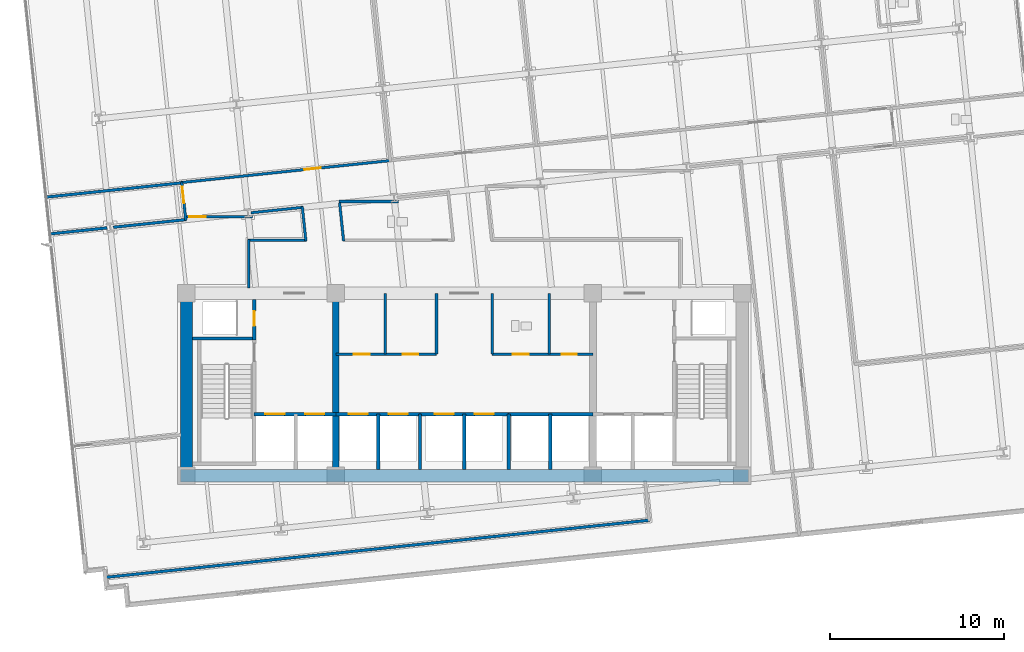
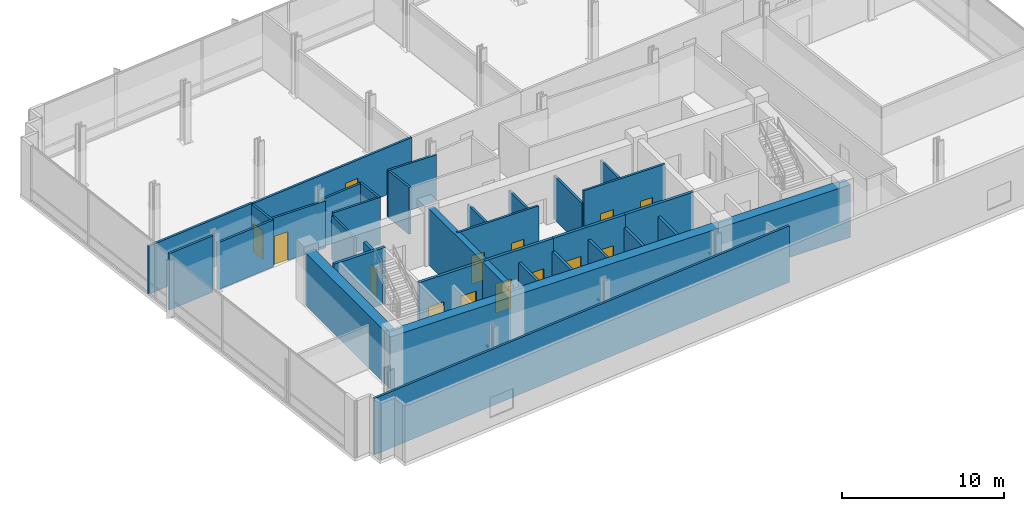
# One storey, part 12 of 20: 33 walls, 14 doors, 14 openings.
"""IFC4 building model written with IfcOpenShell, lengths in metres."""

from ifc_helpers import new_model, si_unit, direction, frame, frame_2d, origin, place, context, subcontext, project, spatial, rectangle, extrude, material, layer, layer_set, type_object, element, fill, save


model = new_model("IFC4")

# Units and contexts
model_context = context("Model", 3, precision=1e-05, world=origin(), true_north=direction((0.0, 1.0)))
body_context = subcontext(model_context, "Body", "Model", "MODEL_VIEW")
ifc_project = project(units=[si_unit("LENGTHUNIT", "METRE"), si_unit("AREAUNIT", "SQUARE_METRE"), si_unit("VOLUMEUNIT", "CUBIC_METRE"), si_unit("PLANEANGLEUNIT", "RADIAN"), si_unit("MASSUNIT", "GRAM", prefix="KILO")], contexts=[model_context])

# Site, building, storey
site_placement = place(None, origin())
site = spatial("IfcSite", under=ifc_project, at=site_placement, CompositionType="ELEMENT")
building_placement = place(site_placement, origin())
building = spatial("IfcBuilding", under=site, at=building_placement, Name="Solmavex Isthmus Hotel", CompositionType="ELEMENT")
storey_placement = place(building_placement, frame((0.0, 0.0, 101.85009765625)))
storey = spatial("IfcBuildingStorey", under=building, at=storey_placement, Name="L27", CompositionType="ELEMENT", Elevation=101.85009765625)

# Walls
ifc_material_1 = material(Name="Gypsum plasterboard lining", Category="gypsum")
ifc_layer_1 = layer(ifc_material_1, 0.159912109375)
ifc_layer_set_1 = layer_set([ifc_layer_1], Name="Gypsum plasterboard lining")
wall_type_1 = type_object("IfcWallType", Name="IW-COMP-160", PredefinedType="PARTITIONING", material=ifc_layer_set_1)
wall_1_placement = place(storey_placement, frame((-16.221923828125, 3.86474609375, 0.0), z_axis=(0.0, 0.0, 1.0), x_axis=(-0.994522987852, -0.104518068455, 0.0)))
element("IfcWall", 1, at=wall_1_placement, inside=storey, type_object=wall_type_1, Name="Interior Partition Wall W-L27-P032", PredefinedType="PARTITIONING", context=body_context, shape_type="SweptSolid", body=[
    extrude(rectangle(XDim=7.927978515625, YDim=0.159912109375, at=frame_2d((3.9638671875, 0.0))), origin(), (0.0, 0.0, 1.0), 3.60302734375),
])
wall_2_placement = place(storey_placement, frame((-20.558349609375, 1.267333984375, 0.0), z_axis=(0.0, 0.0, 1.0), x_axis=(-0.99451904707, -0.10455555946, 0.0)))
element("IfcWall", 2, at=wall_2_placement, inside=storey, type_object=wall_type_1, Name="Interior Partition Wall W-L27-P050", PredefinedType="PARTITIONING", context=body_context, shape_type="SweptSolid", body=[
    extrude(rectangle(XDim=3.34375, YDim=0.159912109375, at=frame_2d((1.671875, 0.0))), origin(), (0.0, 0.0, 1.0), 4.239990234375),
])
wall_3_placement = place(storey_placement, frame((-15.9892578125, 1.74755859375, 0.0), z_axis=(0.0, 0.0, 1.0), x_axis=(-0.994523098997, -0.104517010867, 0.0)))
element("IfcWall", 3, at=wall_3_placement, inside=storey, type_object=wall_type_1, Name="Interior Partition Wall W-L27-P051", PredefinedType="PARTITIONING", context=body_context, shape_type="SweptSolid", body=[
    extrude(rectangle(XDim=4.241943359375, YDim=0.159912109375, at=frame_2d((2.12109375, 0.0))), origin(), (0.0, 0.0, 1.0), 3.529296875),
])
wall_4_placement = place(storey_placement, frame((10.687744140625, -15.558837890625, 0.0), z_axis=(0.0, 0.0, 1.0), x_axis=(-0.994522141115, -0.104526125114, 0.0)))
element("IfcWall", 4, at=wall_4_placement, inside=storey, type_object=wall_type_1, Name="Interior Partition Wall W-L27-P056", PredefinedType="PARTITIONING", context=body_context, shape_type="SweptSolid", body=[
    extrude(rectangle(XDim=31.559814453125, YDim=0.159912109375, at=frame_2d((15.77978515625, 0.0))), origin(), (0.0, 0.0, 1.0), 4.239990234375),
])

# Wall, openings, doors
ifc_layer_2 = layer(ifc_material_1, 0.14990234375)
ifc_layer_set_2 = layer_set([ifc_layer_2], Name="Gypsum plasterboard lining")
wall_type_2 = type_object("IfcWallType", Name="IW-CORR-150", PredefinedType="PARTITIONING", material=ifc_layer_set_2)
wall_5_placement = place(storey_placement, frame((-7.39990234375, -6.0, 0.0), z_axis=(0.0, 0.0, 1.0), x_axis=(1.0, 0.0, 0.0)))
wall_5 = element("IfcWall", 5, at=wall_5_placement, inside=storey, type_object=wall_type_2, Name="Interior Partition Wall W-L27-BOH-WS", PredefinedType="PARTITIONING", context=body_context, shape_type="SweptSolid", body=[
    extrude(rectangle(XDim=5.7998046875, YDim=0.14990234375, at=frame_2d((2.89990234375, 0.0))), origin(), (0.0, 0.0, 1.0), 4.239990234375),
])
opening_1_placement = place(wall_5_placement, frame((1.050048828125, 0.0, 0.0)))
opening_1 = element("IfcOpeningElement", 6, at=opening_1_placement, cuts=wall_5, Name="Opening ID-C090", PredefinedType="OPENING", context=body_context, shape_type="SweptSolid", body=[
    extrude(rectangle(XDim=0.89990234375, YDim=2.10009765625, at=frame_2d((0.449951171875, 1.050048828125))), frame((0.0, 0.0849609375, 0.0), z_axis=(0.0, -1.0, 0.0), x_axis=(1.0, 0.0, 0.0)), (0.0, 0.0, 1.0), 0.169921875),
])
opening_2_placement = place(wall_5_placement, frame((3.85009765625, 0.0, 0.0)))
opening_2 = element("IfcOpeningElement", 7, at=opening_2_placement, cuts=wall_5, Name="Opening ID-C090", PredefinedType="OPENING", context=body_context, shape_type="SweptSolid", body=[
    extrude(rectangle(XDim=0.89990234375, YDim=2.10009765625, at=frame_2d((0.449951171875, 1.050048828125))), frame((0.0, 0.0849609375, 0.0), z_axis=(0.0, -1.0, 0.0), x_axis=(1.0, 0.0, 0.0)), (0.0, 0.0, 1.0), 0.169921875),
])
ifc_material_2 = material(Name="Hardwood timber", Category="wood")
door_type_1 = type_object("IfcDoorType", Name="IDR-FD60-0900", OperationType="NOTDEFINED", PredefinedType="DOOR", material=ifc_material_2)
door_1_placement = place(opening_1_placement, frame((0.89990234375, 0.0, 0.0), z_axis=(0.0, 0.0, 1.0), x_axis=(-1.0, 0.0, 0.0)))
door_1 = element("IfcDoor", 8, at=door_1_placement, inside=storey, type_object=door_type_1, Name="Linen Room Door L27", OperationType="SINGLE_SWING_LEFT", OverallHeight=2.10009765625, OverallWidth=0.89990234375, PredefinedType="DOOR", context=body_context, shape_type="SweptSolid", body=[
    extrude(rectangle(XDim=0.89990234375, YDim=2.10009765625, at=frame_2d((0.449951171875, 1.050048828125))), frame((0.0, 0.02490234375, 0.0), z_axis=(0.0, -1.0, 0.0), x_axis=(1.0, 0.0, 0.0)), (0.0, 0.0, 1.0), 0.050048828125),
])
fill(opening_1, door_1)
door_2_placement = place(opening_2_placement, frame((0.89990234375, 0.0, 0.0), z_axis=(0.0, 0.0, 1.0), x_axis=(-1.0, 0.0, 0.0)))
door_2 = element("IfcDoor", 9, at=door_2_placement, inside=storey, type_object=door_type_1, Name="Ice Pantry Door L27", OperationType="SINGLE_SWING_RIGHT", OverallHeight=2.10009765625, OverallWidth=0.89990234375, PredefinedType="DOOR", context=body_context, shape_type="SweptSolid", body=[
    extrude(rectangle(XDim=0.89990234375, YDim=2.10009765625, at=frame_2d((0.449951171875, 1.050048828125))), frame((0.0, 0.02490234375, 0.0), z_axis=(0.0, -1.0, 0.0), x_axis=(1.0, 0.0, 0.0)), (0.0, 0.0, 1.0), 0.050048828125),
])
fill(opening_2, door_2)

# Wall
wall_6_placement = place(storey_placement, frame((-1.60009765625, -6.0, 0.0), z_axis=(0.0, 0.0, 1.0), x_axis=(0.0, 1.0, 0.0)))
element("IfcWall", 10, at=wall_6_placement, inside=storey, type_object=wall_type_2, Name="Interior Partition Wall W-L27-BOH-WE", PredefinedType="PARTITIONING", context=body_context, shape_type="SweptSolid", body=[
    extrude(rectangle(XDim=3.5, YDim=0.14990234375, at=frame_2d((1.75, 0.0))), origin(), (0.0, 0.0, 1.0), 3.27490234375),
])

# Wall, openings, doors
wall_7_placement = place(storey_placement, frame((1.60009765625, -6.0, 0.0), z_axis=(0.0, 0.0, 1.0), x_axis=(1.0, 0.0, 0.0)))
wall_7 = element("IfcWall", 11, at=wall_7_placement, inside=storey, type_object=wall_type_2, Name="Interior Partition Wall W-L27-BOH-ES", PredefinedType="PARTITIONING", context=body_context, shape_type="SweptSolid", body=[
    extrude(rectangle(XDim=5.7998046875, YDim=0.14990234375, at=frame_2d((2.89990234375, 0.0))), origin(), (0.0, 0.0, 1.0), 4.239990234375),
])
opening_3_placement = place(wall_7_placement, frame((1.199951171875, 0.0, 0.0)))
opening_3 = element("IfcOpeningElement", 12, at=opening_3_placement, cuts=wall_7, Name="Opening ID-C090", PredefinedType="OPENING", context=body_context, shape_type="SweptSolid", body=[
    extrude(rectangle(XDim=0.89990234375, YDim=2.10009765625, at=frame_2d((0.449951171875, 1.050048828125))), frame((0.0, 0.0849609375, 0.0), z_axis=(0.0, -1.0, 0.0), x_axis=(1.0, 0.0, 0.0)), (0.0, 0.0, 1.0), 0.169921875),
])
opening_4_placement = place(wall_7_placement, frame((4.02490234375, 0.0, 0.0)))
opening_4 = element("IfcOpeningElement", 13, at=opening_4_placement, cuts=wall_7, Name="Opening ID-R085", PredefinedType="OPENING", context=body_context, shape_type="SweptSolid", body=[
    extrude(rectangle(XDim=0.85009765625, YDim=2.050048828125, at=frame_2d((0.425048828125, 1.02490234375))), frame((0.0, 0.0849609375, 0.0), z_axis=(0.0, -1.0, 0.0), x_axis=(1.0, 0.0, 0.0)), (0.0, 0.0, 1.0), 0.169921875),
])
ifc_material_3 = material(Name="Steel ASTM A500 Grade C", Category="steel")
door_type_2 = type_object("IfcDoorType", Name="IDR-FD60-0850", OperationType="NOTDEFINED", PredefinedType="DOOR", material=ifc_material_3)
door_3_placement = place(opening_4_placement, frame((0.85009765625, 0.0, 0.0), z_axis=(0.0, 0.0, 1.0), x_axis=(-1.0, 0.0, 0.0)))
door_3 = element("IfcDoor", 14, at=door_3_placement, inside=storey, type_object=door_type_2, Name="IT Room Door L27", OperationType="SINGLE_SWING_RIGHT", OverallHeight=2.050048828125, OverallWidth=0.85009765625, PredefinedType="DOOR", context=body_context, shape_type="SweptSolid", body=[
    extrude(rectangle(XDim=0.85009765625, YDim=2.050048828125, at=frame_2d((0.425048828125, 1.02490234375))), frame((0.0, 0.02490234375, 0.0), z_axis=(0.0, -1.0, 0.0), x_axis=(1.0, 0.0, 0.0)), (0.0, 0.0, 1.0), 0.050048828125),
])
fill(opening_4, door_3)
door_4_placement = place(opening_3_placement, frame((0.89990234375, 0.0, 0.0), z_axis=(0.0, 0.0, 1.0), x_axis=(-1.0, 0.0, 0.0)))
door_4 = element("IfcDoor", 15, at=door_4_placement, inside=storey, type_object=door_type_1, Name="Staff Restroom Door L27", OperationType="SINGLE_SWING_LEFT", OverallHeight=2.10009765625, OverallWidth=0.89990234375, PredefinedType="DOOR", context=body_context, shape_type="SweptSolid", body=[
    extrude(rectangle(XDim=0.89990234375, YDim=2.10009765625, at=frame_2d((0.449951171875, 1.050048828125))), frame((0.0, 0.02490234375, 0.0), z_axis=(0.0, -1.0, 0.0), x_axis=(1.0, 0.0, 0.0)), (0.0, 0.0, 1.0), 0.050048828125),
])
fill(opening_3, door_4)

# Wall
wall_8_placement = place(storey_placement, frame((1.60009765625, -6.0, 0.0), z_axis=(0.0, 0.0, 1.0), x_axis=(0.0, 1.0, 0.0)))
element("IfcWall", 16, at=wall_8_placement, inside=storey, type_object=wall_type_2, Name="Interior Partition Wall W-L27-BOH-EW", PredefinedType="PARTITIONING", context=body_context, shape_type="SweptSolid", body=[
    extrude(rectangle(XDim=3.5, YDim=0.14990234375, at=frame_2d((1.75, 0.0))), origin(), (0.0, 0.0, 1.0), 3.27490234375),
])

# Wall, opening, door
wall_9_placement = place(storey_placement, frame((-16.303466796875, 3.87646484375, 0.0), z_axis=(0.0, 0.0, 1.0), x_axis=(0.994522343224, 0.104524202122, 0.0)))
wall_9 = element("IfcWall", 17, at=wall_9_placement, inside=storey, type_object=wall_type_2, Name="Interior Partition Wall W-L27-P001", PredefinedType="PARTITIONING", context=body_context, shape_type="SweptSolid", body=[
    extrude(rectangle(XDim=12.187744140625, YDim=0.14990234375, at=frame_2d((6.09375, 0.0))), origin(), (0.0, 0.0, 1.0), 3.529296875),
])
opening_5_placement = place(wall_9_placement, frame((7.14453125, 0.0, 0.0)))
opening_5 = element("IfcOpeningElement", 18, at=opening_5_placement, cuts=wall_9, Name="Opening ID-C095", PredefinedType="OPENING", context=body_context, shape_type="SweptSolid", body=[
    extrude(rectangle(XDim=0.949951171875, YDim=2.14990234375, at=frame_2d((0.47509765625, 1.074951171875))), frame((0.0, 0.0849609375, 0.0), z_axis=(0.0, -1.0, 0.0), x_axis=(1.0, 0.0, 0.0)), (0.0, 0.0, 1.0), 0.169921875),
])
door_type_3 = type_object("IfcDoorType", Name="IDR-FD60-0950", OperationType="NOTDEFINED", PredefinedType="DOOR", material=ifc_material_2)
door_5_placement = place(opening_5_placement, origin())
door_5 = element("IfcDoor", 19, at=door_5_placement, inside=storey, type_object=door_type_3, Name="Corporate Briefing Office Door L27-01", OperationType="SINGLE_SWING_LEFT", OverallHeight=2.14990234375, OverallWidth=0.949951171875, PredefinedType="DOOR", context=body_context, shape_type="SweptSolid", body=[
    extrude(rectangle(XDim=0.949951171875, YDim=2.14990234375, at=frame_2d((0.47509765625, 1.074951171875))), frame((0.0, 0.02490234375, 0.0), z_axis=(0.0, -1.0, 0.0), x_axis=(1.0, 0.0, 0.0)), (0.0, 0.0, 1.0), 0.050048828125),
])
fill(opening_5, door_5)

# Walls
wall_10_placement = place(storey_placement, frame((-3.7841796875, 2.78857421875, 0.0), z_axis=(0.0, 0.0, 1.0), x_axis=(-1.0, 0.0, 0.0)))
element("IfcWall", 20, at=wall_10_placement, inside=storey, type_object=wall_type_2, Name="Interior Partition Wall W-L27-P005", PredefinedType="PARTITIONING", context=body_context, shape_type="SweptSolid", body=[
    extrude(rectangle(XDim=3.430419921875, YDim=0.14990234375, at=frame_2d((1.71533203125, 0.0))), origin(), (0.0, 0.0, 1.0), 3.529296875),
])
wall_11_placement = place(storey_placement, frame((-7.178955078125, 2.7138671875, 0.0), z_axis=(0.0, 0.0, 1.0), x_axis=(0.104455355485, -0.994529576589, 0.0)))
element("IfcWall", 21, at=wall_11_placement, inside=storey, type_object=wall_type_2, Name="Interior Partition Wall W-L27-P006", PredefinedType="PARTITIONING", context=body_context, shape_type="SweptSolid", body=[
    extrude(rectangle(XDim=2.2158203125, YDim=0.14990234375, at=frame_2d((1.10791015625, 0.0))), origin(), (0.0, 0.0, 1.0), 3.529296875),
])

# Wall, opening, door
wall_12_placement = place(storey_placement, frame((-16.034912109375, 1.70263671875, 0.0), z_axis=(0.0, 0.0, 1.0), x_axis=(-0.104512255544, 0.994523598735, 0.0)))
wall_12 = element("IfcWall", 22, at=wall_12_placement, inside=storey, type_object=wall_type_2, Name="Interior Partition Wall W-L27-P011", PredefinedType="PARTITIONING", context=body_context, shape_type="SweptSolid", body=[
    extrude(rectangle(XDim=2.2099609375, YDim=0.14990234375, at=frame_2d((1.10498046875, 0.0))), origin(), (0.0, 0.0, 1.0), 3.529296875),
])
opening_6_placement = place(wall_12_placement, frame((0.98779296875, 0.0, 0.0)))
opening_6 = element("IfcOpeningElement", 23, at=opening_6_placement, cuts=wall_12, Name="Opening ID-C095", PredefinedType="OPENING", context=body_context, shape_type="SweptSolid", body=[
    extrude(rectangle(XDim=0.949951171875, YDim=2.14990234375, at=frame_2d((0.47509765625, 1.074951171875))), frame((0.0, 0.0849609375, 0.0), z_axis=(0.0, -1.0, 0.0), x_axis=(1.0, 0.0, 0.0)), (0.0, 0.0, 1.0), 0.169921875),
])
door_6_placement = place(opening_6_placement, origin())
door_6 = element("IfcDoor", 24, at=door_6_placement, inside=storey, type_object=door_type_3, Name="Servery Kitchen Door L27-10", OperationType="SINGLE_SWING_RIGHT", OverallHeight=2.14990234375, OverallWidth=0.949951171875, PredefinedType="DOOR", context=body_context, shape_type="SweptSolid", body=[
    extrude(rectangle(XDim=0.949951171875, YDim=2.14990234375, at=frame_2d((0.47509765625, 1.074951171875))), frame((0.0, 0.02490234375, 0.0), z_axis=(0.0, -1.0, 0.0), x_axis=(1.0, 0.0, 0.0)), (0.0, 0.0, 1.0), 0.050048828125),
])
fill(opening_6, door_6)

# Walls
wall_13_placement = place(storey_placement, frame((-12.39990234375, -2.18994140625, 0.0), z_axis=(0.0, 0.0, 1.0), x_axis=(0.0, 1.0, 0.0)))
element("IfcWall", 25, at=wall_13_placement, inside=storey, type_object=wall_type_2, Name="Interior Partition Wall W-L27-P012", PredefinedType="PARTITIONING", context=body_context, shape_type="SweptSolid", body=[
    extrude(rectangle(XDim=2.780029296875, YDim=0.14990234375, at=frame_2d((1.39013671875, 0.0))), origin(), (0.0, 0.0, 1.0), 3.27490234375),
])
wall_14_placement = place(storey_placement, frame((-12.43994140625, 0.550048828125, 0.0), z_axis=(0.0, 0.0, 1.0), x_axis=(1.0, 0.0, 0.0)))
element("IfcWall", 26, at=wall_14_placement, inside=storey, type_object=wall_type_2, Name="Interior Partition Wall W-L27-P013", PredefinedType="PARTITIONING", context=body_context, shape_type="SweptSolid", body=[
    extrude(rectangle(XDim=3.3564453125, YDim=0.14990234375, at=frame_2d((1.67822265625, 0.0))), origin(), (0.0, 0.0, 1.0), 3.529296875),
])
wall_15_placement = place(storey_placement, frame((-9.119384765625, 0.51025390625, 0.0), z_axis=(0.0, 0.0, 1.0), x_axis=(-0.104473893665, 0.994527629351, 0.0)))
element("IfcWall", 27, at=wall_15_placement, inside=storey, type_object=wall_type_2, Name="Interior Partition Wall W-L27-P014", PredefinedType="PARTITIONING", context=body_context, shape_type="SweptSolid", body=[
    extrude(rectangle(XDim=1.98876953125, YDim=0.14990234375, at=frame_2d((0.994384765625, 0.0))), origin(), (0.0, 0.0, 1.0), 3.529296875),
])
wall_16_placement = place(storey_placement, frame((-9.283203125, 2.452392578125, 0.0), z_axis=(0.0, 0.0, 1.0), x_axis=(-0.994518748051, -0.104558403652, 0.0)))
element("IfcWall", 28, at=wall_16_placement, inside=storey, type_object=wall_type_2, Name="Interior Partition Wall W-L27-P015", PredefinedType="PARTITIONING", context=body_context, shape_type="SweptSolid", body=[
    extrude(rectangle(XDim=3.016845703125, YDim=0.14990234375, at=frame_2d((1.50830078125, 0.0))), origin(), (0.0, 0.0, 1.0), 3.529296875),
])

# Wall, opening, door
wall_17_placement = place(storey_placement, frame((-12.203857421875, 1.903564453125, 0.0), z_axis=(0.0, 0.0, 1.0), x_axis=(-1.0, 0.0, 0.0)))
wall_17 = element("IfcWall", 29, at=wall_17_placement, inside=storey, type_object=wall_type_2, Name="Interior Partition Wall W-L27-P016", PredefinedType="PARTITIONING", context=body_context, shape_type="SweptSolid", body=[
    extrude(rectangle(XDim=3.875, YDim=0.14990234375, at=frame_2d((1.9375, 0.0))), origin(), (0.0, 0.0, 1.0), 3.529296875),
])
opening_7_placement = place(wall_17_placement, frame((2.6669921875, 0.0, 0.0)))
opening_7 = element("IfcOpeningElement", 30, at=opening_7_placement, cuts=wall_17, Name="Opening ID-C095", PredefinedType="OPENING", context=body_context, shape_type="SweptSolid", body=[
    extrude(rectangle(XDim=0.949951171875, YDim=2.14990234375, at=frame_2d((0.47509765625, 1.074951171875))), frame((0.0, 0.0849609375, 0.0), z_axis=(0.0, -1.0, 0.0), x_axis=(1.0, 0.0, 0.0)), (0.0, 0.0, 1.0), 0.169921875),
])
door_7_placement = place(opening_7_placement, origin())
door_7 = element("IfcDoor", 31, at=door_7_placement, inside=storey, type_object=door_type_3, Name="VIP Boardroom Door L27-11", OperationType="SINGLE_SWING_LEFT", OverallHeight=2.14990234375, OverallWidth=0.949951171875, PredefinedType="DOOR", context=body_context, shape_type="SweptSolid", body=[
    extrude(rectangle(XDim=0.949951171875, YDim=2.14990234375, at=frame_2d((0.47509765625, 1.074951171875))), frame((0.0, 0.02490234375, 0.0), z_axis=(0.0, -1.0, 0.0), x_axis=(1.0, 0.0, 0.0)), (0.0, 0.0, 1.0), 0.050048828125),
])
fill(opening_7, door_7)

# Walls
ifc_layer_3 = layer(ifc_material_1, 0.1201171875)
ifc_layer_set_3 = layer_set([ifc_layer_3], Name="Gypsum plasterboard lining")
wall_type_3 = type_object("IfcWallType", Name="IW-PART-120", PredefinedType="PARTITIONING", material=ifc_layer_set_3)
for number, where, z_axis, x_axis, name in (
    (32, (-4.550048828125, -6.0, 0.0), (0.0, 0.0, 1.0), (0.0, 1.0, 0.0), "Interior Partition Wall W-L27-BOH-WM2"),
    (33, (4.89990234375, -6.0, 0.0), (0.0, 0.0, 1.0), (0.0, 1.0, 0.0), "Interior Partition Wall W-L27-BOH-EM2"),
):
    element("IfcWall", number, at=place(storey_placement, frame(where, z_axis=z_axis, x_axis=x_axis)), inside=storey, type_object=wall_type_3, Name=name, PredefinedType="PARTITIONING", context=body_context, shape_type="SweptSolid", body=[
        extrude(rectangle(XDim=3.5, YDim=0.14990234375, at=frame_2d((1.75, 0.0))), origin(), (0.0, 0.0, 1.0), 3.27490234375),
    ])
ifc_material_4 = material(Name="Concrete C40/50", Category="concrete")
ifc_layer_4 = layer(ifc_material_4, 0.179931640625)
ifc_layer_set_4 = layer_set([ifc_layer_4], Name="Concrete C40/50")
wall_type_4 = type_object("IfcWallType", Name="IW-SHAFT-180", PredefinedType="PARTITIONING", material=ifc_layer_set_4)
for number, where, z_axis, x_axis, name in (
    (34, (-4.949951171875, -12.64990234375, 0.0), (0.0, 0.0, 1.0), (0.0, 1.0, 0.0), "Interior Partition Wall W-L27-SH-PLL-M"),
    (35, (0.0, -12.64990234375, 0.0), (0.0, 0.0, 1.0), (0.0, 1.0, 0.0), "Interior Partition Wall W-L27-SH-PLM-M"),
    (36, (4.949951171875, -12.64990234375, 0.0), (0.0, 0.0, 1.0), (0.0, 1.0, 0.0), "Interior Partition Wall W-L27-SH-PLH-M"),
):
    element("IfcWall", number, at=place(storey_placement, frame(where, z_axis=z_axis, x_axis=x_axis)), inside=storey, type_object=wall_type_4, Name=name, PredefinedType="PARTITIONING", context=body_context, shape_type="SweptSolid", body=[
        extrude(rectangle(XDim=3.199951171875, YDim=0.179931640625, at=frame_2d((1.60009765625, 0.0))), origin(), (0.0, 0.0, 1.0), 3.27490234375),
    ])

# Wall, opening, door
ifc_layer_5 = layer(ifc_material_4, 0.199951171875)
ifc_layer_set_5 = layer_set([ifc_layer_5], Name="Concrete C40/50")
wall_type_5 = type_object("IfcWallType", Name="IW-SHAFT-200", PredefinedType="PARTITIONING", material=ifc_layer_set_5)
wall_18_placement = place(storey_placement, frame((-12.10009765625, -5.199951171875, 0.0), z_axis=(0.0, 0.0, 1.0), x_axis=(0.0, 1.0, 0.0)))
wall_18 = element("IfcWall", 37, at=wall_18_placement, inside=storey, type_object=wall_type_5, Name="Interior Partition Wall W-L27-RSW-E", PredefinedType="PARTITIONING", context=body_context, shape_type="SweptSolid", body=[
    extrude(rectangle(XDim=2.349853515625, YDim=0.199951171875, at=frame_2d((1.1748046875, 0.0))), origin(), (0.0, 0.0, 1.0), 3.27490234375),
])
opening_8_placement = place(wall_18_placement, frame((0.824951171875, 0.0, 0.0)))
opening_8 = element("IfcOpeningElement", 38, at=opening_8_placement, cuts=wall_18, Name="Opening ID-R085", PredefinedType="OPENING", context=body_context, shape_type="SweptSolid", body=[
    extrude(rectangle(XDim=0.85009765625, YDim=2.050048828125, at=frame_2d((0.425048828125, 1.02490234375))), frame((0.0, 0.10986328125, 0.0), z_axis=(0.0, -1.0, 0.0), x_axis=(1.0, 0.0, 0.0)), (0.0, 0.0, 1.0), 0.219970703125),
])
door_8_placement = place(opening_8_placement, origin())
door_8 = element("IfcDoor", 39, at=door_8_placement, inside=storey, type_object=door_type_2, Name="Electrical Riser Door L27", OperationType="SINGLE_SWING_RIGHT", OverallHeight=2.050048828125, OverallWidth=0.85009765625, PredefinedType="DOOR", context=body_context, shape_type="SweptSolid", body=[
    extrude(rectangle(XDim=0.85009765625, YDim=2.050048828125, at=frame_2d((0.425048828125, 1.02490234375))), frame((0.0, 0.02490234375, 0.0), z_axis=(0.0, -1.0, 0.0), x_axis=(1.0, 0.0, 0.0)), (0.0, 0.0, 1.0), 0.050048828125),
])
fill(opening_8, door_8)

# Wall, openings, doors
wall_19_placement = place(storey_placement, frame((-12.10009765625, -9.449951171875, 0.0), z_axis=(0.0, 0.0, 1.0), x_axis=(1.0, 0.0, 0.0)))
wall_19 = element("IfcWall", 40, at=wall_19_placement, inside=storey, type_object=wall_type_5, Name="Interior Partition Wall W-L27-FFLW-S", PredefinedType="PARTITIONING", context=body_context, shape_type="SweptSolid", body=[
    extrude(rectangle(XDim=4.7001953125, YDim=0.199951171875, at=frame_2d((2.35009765625, 0.0))), origin(), (0.0, 0.0, 1.0), 4.239990234375),
])
opening_9_placement = place(wall_19_placement, frame((0.64990234375, 0.0, 0.0)))
opening_9 = element("IfcOpeningElement", 41, at=opening_9_placement, cuts=wall_19, Name="Opening LD-FF", PredefinedType="OPENING", context=body_context, shape_type="SweptSolid", body=[
    extrude(rectangle(XDim=1.10009765625, YDim=2.199951171875, at=frame_2d((0.550048828125, 1.10009765625))), frame((0.0, 0.10986328125, 0.0), z_axis=(0.0, -1.0, 0.0), x_axis=(1.0, 0.0, 0.0)), (0.0, 0.0, 1.0), 0.219970703125),
])
opening_10_placement = place(wall_19_placement, frame((2.949951171875, 0.0, 0.0)))
opening_10 = element("IfcOpeningElement", 42, at=opening_10_placement, cuts=wall_19, Name="Opening LD-SV", PredefinedType="OPENING", context=body_context, shape_type="SweptSolid", body=[
    extrude(rectangle(XDim=1.10009765625, YDim=2.199951171875, at=frame_2d((0.550048828125, 1.10009765625))), frame((0.0, 0.10986328125, 0.0), z_axis=(0.0, -1.0, 0.0), x_axis=(1.0, 0.0, 0.0)), (0.0, 0.0, 1.0), 0.219970703125),
])
ifc_material_5 = material(Name="Stainless steel 316", Category="steel")
door_type_4 = type_object("IfcDoorType", Name="LDR-FF-1100", OperationType="NOTDEFINED", PredefinedType="DOOR", material=ifc_material_5)
door_9_placement = place(opening_9_placement, origin())
door_9 = element("IfcDoor", 43, at=door_9_placement, inside=storey, type_object=door_type_4, Name="Lift Landing Door FFL-1 L27", OperationType="SLIDING_TO_LEFT", OverallHeight=2.199951171875, OverallWidth=1.10009765625, PredefinedType="DOOR", context=body_context, shape_type="SweptSolid", body=[
    extrude(rectangle(XDim=1.10009765625, YDim=2.199951171875, at=frame_2d((0.550048828125, 1.10009765625))), frame((0.0, 0.02490234375, 0.0), z_axis=(0.0, -1.0, 0.0), x_axis=(1.0, 0.0, 0.0)), (0.0, 0.0, 1.0), 0.050048828125),
])
fill(opening_9, door_9)
door_type_5 = type_object("IfcDoorType", Name="LDR-SV-1100", OperationType="NOTDEFINED", PredefinedType="DOOR", material=ifc_material_5)
door_10_placement = place(opening_10_placement, origin())
door_10 = element("IfcDoor", 44, at=door_10_placement, inside=storey, type_object=door_type_5, Name="Lift Landing Door SVL-1 L27", OperationType="SLIDING_TO_RIGHT", OverallHeight=2.199951171875, OverallWidth=1.10009765625, PredefinedType="DOOR", context=body_context, shape_type="SweptSolid", body=[
    extrude(rectangle(XDim=1.10009765625, YDim=2.199951171875, at=frame_2d((0.550048828125, 1.10009765625))), frame((0.0, 0.02490234375, 0.0), z_axis=(0.0, -1.0, 0.0), x_axis=(1.0, 0.0, 0.0)), (0.0, 0.0, 1.0), 0.050048828125),
])
fill(opening_10, door_10)

wall_20_placement = place(storey_placement, frame((-7.39990234375, -9.449951171875, 0.0), z_axis=(0.0, 0.0, 1.0), x_axis=(1.0, 0.0, 0.0)))
wall_20 = element("IfcWall", 45, at=wall_20_placement, inside=storey, type_object=wall_type_5, Name="Interior Partition Wall W-L27-SH-PLL", PredefinedType="PARTITIONING", context=body_context, shape_type="SweptSolid", body=[
    extrude(rectangle(XDim=4.849853515625, YDim=0.199951171875, at=frame_2d((2.4248046875, 0.0))), origin(), (0.0, 0.0, 1.0), 4.239990234375),
])
opening_11_placement = place(wall_20_placement, frame((0.75, 0.0, 0.0)))
opening_11 = element("IfcOpeningElement", 46, at=opening_11_placement, cuts=wall_20, Name="Opening LD-PL", PredefinedType="OPENING", context=body_context, shape_type="SweptSolid", body=[
    extrude(rectangle(XDim=1.10009765625, YDim=2.199951171875, at=frame_2d((0.550048828125, 1.10009765625))), frame((0.0, 0.10986328125, 0.0), z_axis=(0.0, -1.0, 0.0), x_axis=(1.0, 0.0, 0.0)), (0.0, 0.0, 1.0), 0.219970703125),
])
opening_12_placement = place(wall_20_placement, frame((3.050048828125, 0.0, 0.0)))
opening_12 = element("IfcOpeningElement", 47, at=opening_12_placement, cuts=wall_20, Name="Opening LD-PL", PredefinedType="OPENING", context=body_context, shape_type="SweptSolid", body=[
    extrude(rectangle(XDim=1.10009765625, YDim=2.199951171875, at=frame_2d((0.550048828125, 1.10009765625))), frame((0.0, 0.10986328125, 0.0), z_axis=(0.0, -1.0, 0.0), x_axis=(1.0, 0.0, 0.0)), (0.0, 0.0, 1.0), 0.219970703125),
])
door_type_6 = type_object("IfcDoorType", Name="LDR-PL-1100", OperationType="NOTDEFINED", PredefinedType="DOOR", material=ifc_material_5)
door_11_placement = place(opening_11_placement, origin())
door_11 = element("IfcDoor", 48, at=door_11_placement, inside=storey, type_object=door_type_6, Name="Lift Landing Door PLL1 L27", OperationType="SLIDING_TO_LEFT", OverallHeight=2.199951171875, OverallWidth=1.10009765625, PredefinedType="DOOR", context=body_context, shape_type="SweptSolid", body=[
    extrude(rectangle(XDim=1.10009765625, YDim=2.199951171875, at=frame_2d((0.550048828125, 1.10009765625))), frame((0.0, 0.02490234375, 0.0), z_axis=(0.0, -1.0, 0.0), x_axis=(1.0, 0.0, 0.0)), (0.0, 0.0, 1.0), 0.050048828125),
])
fill(opening_11, door_11)
door_12_placement = place(opening_12_placement, origin())
door_12 = element("IfcDoor", 49, at=door_12_placement, inside=storey, type_object=door_type_6, Name="Lift Landing Door PLL2 L27", OperationType="SLIDING_TO_LEFT", OverallHeight=2.199951171875, OverallWidth=1.10009765625, PredefinedType="DOOR", context=body_context, shape_type="SweptSolid", body=[
    extrude(rectangle(XDim=1.10009765625, YDim=2.199951171875, at=frame_2d((0.550048828125, 1.10009765625))), frame((0.0, 0.02490234375, 0.0), z_axis=(0.0, -1.0, 0.0), x_axis=(1.0, 0.0, 0.0)), (0.0, 0.0, 1.0), 0.050048828125),
])
fill(opening_12, door_12)

# Wall
wall_21_placement = place(storey_placement, frame((-2.550048828125, -12.64990234375, 0.0), z_axis=(0.0, 0.0, 1.0), x_axis=(0.0, 1.0, 0.0)))
element("IfcWall", 50, at=wall_21_placement, inside=storey, type_object=wall_type_5, Name="Interior Partition Wall W-L27-SH-PLL-E", PredefinedType="PARTITIONING", context=body_context, shape_type="SweptSolid", body=[
    extrude(rectangle(XDim=3.199951171875, YDim=0.199951171875, at=frame_2d((1.60009765625, 0.0))), origin(), (0.0, 0.0, 1.0), 3.27490234375),
])

# Wall, openings, doors
wall_22_placement = place(storey_placement, frame((-2.550048828125, -9.449951171875, 0.0), z_axis=(0.0, 0.0, 1.0), x_axis=(1.0, 0.0, 0.0)))
wall_22 = element("IfcWall", 51, at=wall_22_placement, inside=storey, type_object=wall_type_5, Name="Interior Partition Wall W-L27-SH-PLM", PredefinedType="PARTITIONING", context=body_context, shape_type="SweptSolid", body=[
    extrude(rectangle(XDim=5.10009765625, YDim=0.199951171875, at=frame_2d((2.550048828125, 0.0))), origin(), (0.0, 0.0, 1.0), 4.239990234375),
])
opening_13_placement = place(wall_22_placement, frame((0.85009765625, 0.0, 0.0)))
opening_13 = element("IfcOpeningElement", 52, at=opening_13_placement, cuts=wall_22, Name="Opening LD-PL", PredefinedType="OPENING", context=body_context, shape_type="SweptSolid", body=[
    extrude(rectangle(XDim=1.10009765625, YDim=2.199951171875, at=frame_2d((0.550048828125, 1.10009765625))), frame((0.0, 0.10986328125, 0.0), z_axis=(0.0, -1.0, 0.0), x_axis=(1.0, 0.0, 0.0)), (0.0, 0.0, 1.0), 0.219970703125),
])
opening_14_placement = place(wall_22_placement, frame((3.14990234375, 0.0, 0.0)))
opening_14 = element("IfcOpeningElement", 53, at=opening_14_placement, cuts=wall_22, Name="Opening LD-PL", PredefinedType="OPENING", context=body_context, shape_type="SweptSolid", body=[
    extrude(rectangle(XDim=1.10009765625, YDim=2.199951171875, at=frame_2d((0.550048828125, 1.10009765625))), frame((0.0, 0.10986328125, 0.0), z_axis=(0.0, -1.0, 0.0), x_axis=(1.0, 0.0, 0.0)), (0.0, 0.0, 1.0), 0.219970703125),
])
door_13_placement = place(opening_13_placement, origin())
door_13 = element("IfcDoor", 54, at=door_13_placement, inside=storey, type_object=door_type_6, Name="Lift Landing Door PLM1 L27", OperationType="SLIDING_TO_RIGHT", OverallHeight=2.199951171875, OverallWidth=1.10009765625, PredefinedType="DOOR", context=body_context, shape_type="SweptSolid", body=[
    extrude(rectangle(XDim=1.10009765625, YDim=2.199951171875, at=frame_2d((0.550048828125, 1.10009765625))), frame((0.0, 0.02490234375, 0.0), z_axis=(0.0, -1.0, 0.0), x_axis=(1.0, 0.0, 0.0)), (0.0, 0.0, 1.0), 0.050048828125),
])
fill(opening_13, door_13)
door_14_placement = place(opening_14_placement, origin())
door_14 = element("IfcDoor", 55, at=door_14_placement, inside=storey, type_object=door_type_6, Name="Lift Landing Door PLM2 L27", OperationType="SLIDING_TO_RIGHT", OverallHeight=2.199951171875, OverallWidth=1.10009765625, PredefinedType="DOOR", context=body_context, shape_type="SweptSolid", body=[
    extrude(rectangle(XDim=1.10009765625, YDim=2.199951171875, at=frame_2d((0.550048828125, 1.10009765625))), frame((0.0, 0.02490234375, 0.0), z_axis=(0.0, -1.0, 0.0), x_axis=(1.0, 0.0, 0.0)), (0.0, 0.0, 1.0), 0.050048828125),
])
fill(opening_14, door_14)

# Walls
wall_23_placement = place(storey_placement, frame((2.550048828125, -12.64990234375, 0.0), z_axis=(0.0, 0.0, 1.0), x_axis=(0.0, 1.0, 0.0)))
element("IfcWall", 56, at=wall_23_placement, inside=storey, type_object=wall_type_5, Name="Interior Partition Wall W-L27-SH-PLM-E", PredefinedType="PARTITIONING", context=body_context, shape_type="SweptSolid", body=[
    extrude(rectangle(XDim=3.199951171875, YDim=0.199951171875, at=frame_2d((1.60009765625, 0.0))), origin(), (0.0, 0.0, 1.0), 3.27490234375),
])
wall_24_placement = place(storey_placement, frame((2.550048828125, -9.449951171875, 0.0), z_axis=(0.0, 0.0, 1.0), x_axis=(1.0, 0.0, 0.0)))
element("IfcWall", 57, at=wall_24_placement, inside=storey, type_object=wall_type_5, Name="Interior Partition Wall W-L27-SH-PLH", PredefinedType="PARTITIONING", context=body_context, shape_type="SweptSolid", body=[
    extrude(rectangle(XDim=4.849853515625, YDim=0.199951171875, at=frame_2d((2.4248046875, 0.0))), origin(), (0.0, 0.0, 1.0), 4.239990234375),
])
ifc_material_6 = material(Name="Concrete C60/75", Category="concrete")
ifc_layer_6 = layer(ifc_material_6, 0.39990234375)
ifc_layer_set_6 = layer_set([ifc_layer_6], Name="Concrete C60/75")
wall_type_6 = type_object("IfcWallType", Name="WALL-CW-400M", PredefinedType="SHEAR", material=ifc_layer_set_6)
wall_25_placement = place(storey_placement, frame((-7.39990234375, -12.64990234375, 0.0), z_axis=(0.0, 0.0, 1.0), x_axis=(0.0, 1.0, 0.0)))
element("IfcWall", 58, at=wall_25_placement, inside=storey, type_object=wall_type_6, Name="Core Cross Shear Wall C1 L27", PredefinedType="SHEAR", context=body_context, shape_type="SweptSolid", body=[
    extrude(rectangle(XDim=9.7998046875, YDim=0.39990234375, at=frame_2d((4.89990234375, 0.0))), origin(), (0.0, 0.0, 1.0), 4.239990234375),
])
ifc_layer_7 = layer(ifc_material_6, 0.699951171875)
ifc_layer_set_7 = layer_set([ifc_layer_7], Name="Concrete C60/75")
wall_type_7 = type_object("IfcWallType", Name="WALL-CW-700", PredefinedType="SHEAR", material=ifc_layer_set_7)
wall_26_placement = place(storey_placement, frame((-16.35009765625, -13.0, 0.0), z_axis=(0.0, 0.0, 1.0), x_axis=(1.0, 0.0, 0.0)))
element("IfcWall", 59, at=wall_26_placement, inside=storey, type_object=wall_type_7, Name="Core Shear Wall South L27", PredefinedType="SHEAR", context=body_context, shape_type="SweptSolid", body=[
    extrude(rectangle(XDim=32.7001953125, YDim=0.699951171875, at=frame_2d((16.35009765625, 0.0))), origin(), (0.0, 0.0, 1.0), 3.9599609375),
])
wall_27_placement = place(storey_placement, frame((-16.0, -12.64990234375, 0.0), z_axis=(0.0, 0.0, 1.0), x_axis=(0.0, 1.0, 0.0)))
element("IfcWall", 60, at=wall_27_placement, inside=storey, type_object=wall_type_7, Name="Core Shear Wall West L27", PredefinedType="SHEAR", context=body_context, shape_type="SweptSolid", body=[
    extrude(rectangle(XDim=9.7998046875, YDim=0.699951171875, at=frame_2d((4.89990234375, 0.0))), origin(), (0.0, 0.0, 1.0), 3.9599609375),
])
ifc_layer_8 = layer(ifc_material_4, 0.199951171875)
ifc_layer_set_8 = layer_set([ifc_layer_8], Name="Concrete C40/50")
wall_type_8 = type_object("IfcWallType", Name="WALL-SW-200", PredefinedType="SOLIDWALL", material=ifc_layer_set_8)
wall_28_placement = place(storey_placement, frame((-15.64990234375, -5.10009765625, 0.0), z_axis=(0.0, 0.0, 1.0), x_axis=(1.0, 0.0, 0.0)))
element("IfcWall", 61, at=wall_28_placement, inside=storey, type_object=wall_type_8, Name="Stairwell Structural Wall SW-L27-ST1-N", PredefinedType="SOLIDWALL", context=body_context, shape_type="SweptSolid", body=[
    extrude(rectangle(XDim=3.64990234375, YDim=0.199951171875, at=frame_2d((1.824951171875, 0.0))), origin(), (0.0, 0.0, 1.0), 4.239990234375),
])

save(model, "model.ifc")
